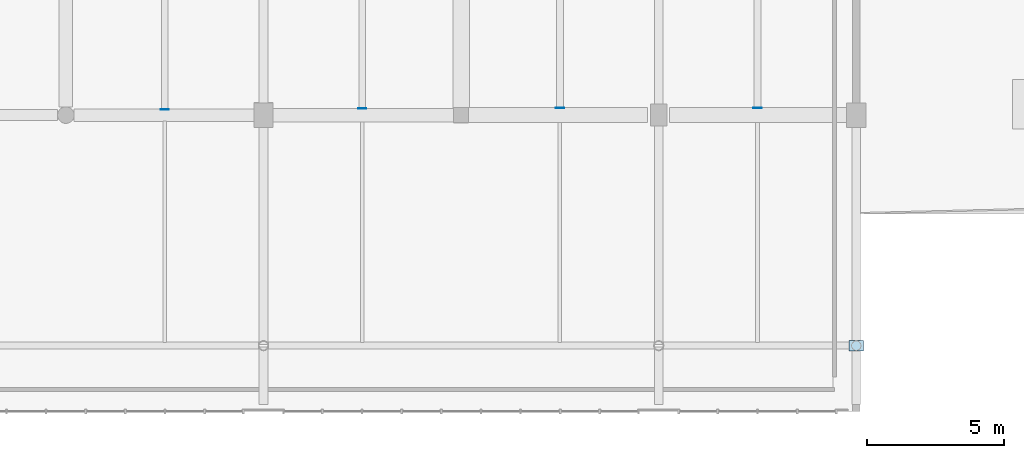
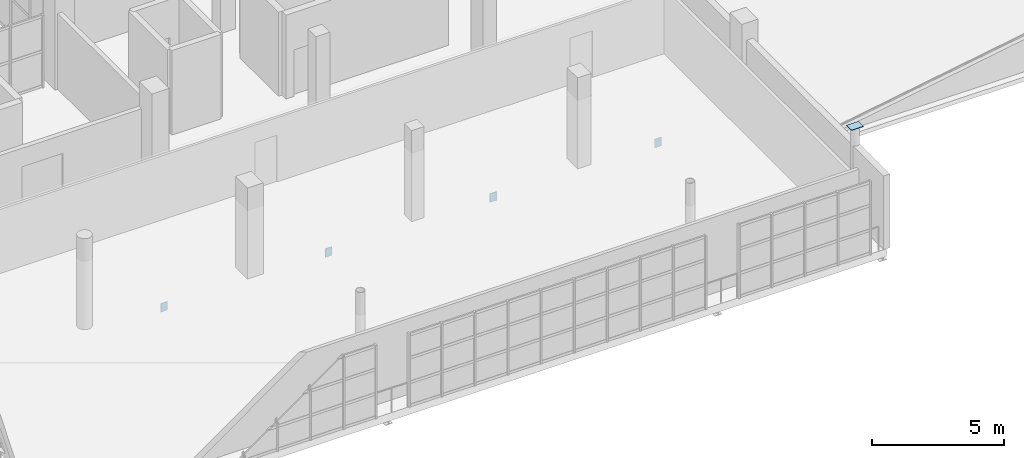
# One storey, part 63 of 90: 5 plates.
"""IFC4 building model written with IfcOpenShell, lengths in metres."""

from ifc_helpers import new_model, si_unit, direction, frame, origin, origin_2d, place, context, subcontext, project, spatial, rectangle, extrude, material, layer, layer_set, type_object, element, save


model = new_model("IFC4")

# Units and contexts
model_context = context("Model", 3, precision=1e-05, world=origin(), true_north=direction((0.0, 1.0)))
body_context = subcontext(model_context, "Body", "Model", "MODEL_VIEW")
ifc_project = project(units=[si_unit("LENGTHUNIT", "METRE"), si_unit("AREAUNIT", "SQUARE_METRE"), si_unit("VOLUMEUNIT", "CUBIC_METRE"), si_unit("PLANEANGLEUNIT", "RADIAN"), si_unit("MASSUNIT", "GRAM", prefix="KILO")], contexts=[model_context])

# Site, building, storey
site_placement = place(None, origin())
site = spatial("IfcSite", under=ifc_project, at=site_placement, CompositionType="ELEMENT")
building_placement = place(site_placement, origin())
building = spatial("IfcBuilding", under=site, at=building_placement, Name="Solanera Park Tramway Depot", CompositionType="ELEMENT")
storey_placement = place(building_placement, frame((0.0, 0.0, 9.0)))
storey = spatial("IfcBuildingStorey", under=building, at=storey_placement, Name="L02", CompositionType="ELEMENT", Elevation=9.0)

# Plates
ifc_material_1 = material(Name="Steel AS/NZS 3679.1 Grade 350", Category="steel")
ifc_layer_1 = layer(ifc_material_1, 0.02001953125)
ifc_layer_set_1 = layer_set([ifc_layer_1], Name="Steel AS/NZS 3679.1 Grade 350")
plate_type_1 = type_object("IfcPlateType", Name="Hollow End Cap and Base Plate 400x300x20", PredefinedType="USERDEFINED", material=ifc_layer_set_1)
for number, where, z_axis, x_axis, name in (
    (1, (162.0, 11.010986328125, -0.739013671875), (0.0, 0.0, 1.0), (0.0, 1.0, 0.0), "Hollow Section Welded End Cap Plate #0040"),
    (2, (169.199951171875, 11.035888671875, -0.739013671875), (0.0, 0.0, 1.0), (0.0, 1.0, 0.0), "Hollow Section Welded End Cap Plate #0042"),
    (3, (176.39990234375, 11.06103515625, -0.739013671875), (0.0, 0.0, 1.0), (0.0, 1.0, 0.0), "Hollow Section Welded End Cap Plate #0044"),
    (4, (183.60009765625, 11.06103515625, -0.739013671875), (0.0, 0.0, 1.0), (0.0, 1.0, 0.0), "Hollow Section Welded End Cap Plate #0046"),
):
    element("IfcPlate", number, at=place(storey_placement, frame(where, z_axis=z_axis, x_axis=x_axis)), inside=storey, type_object=plate_type_1, Name=name, ObjectType="BASE PLATE", PredefinedType="USERDEFINED", context=body_context, shape_type="SweptSolid", body=[
        extrude(rectangle(XDim=0.02001953125, YDim=0.300048828125, at=origin_2d()), origin(), (0.0, 0.0, 1.0), 0.39990234375),
    ])
ifc_material_2 = material(Name="Steel AS/NZS 3679.1 Grade 350", Category="steel")
ifc_layer_2 = layer(ifc_material_2, 0.02490234375)
ifc_layer_set_2 = layer_set([ifc_layer_2], Name="Steel AS/NZS 3679.1 Grade 350")
plate_type_2 = type_object("IfcPlateType", Name="Hollow End Cap and Base Plate 520x380x25", PredefinedType="USERDEFINED", material=ifc_layer_set_2)
plate_placement = place(storey_placement, frame((187.199951171875, 2.39990234375, 4.196044921875), z_axis=(0.0, 0.0, 1.0), x_axis=(1.0, 0.0, 0.0)))
element("IfcPlate", 5, at=plate_placement, inside=storey, type_object=plate_type_2, Name="Hollow Column Sealed Cap Plate #0025", ObjectType="BASE PLATE", PredefinedType="USERDEFINED", context=body_context, shape_type="SweptSolid", body=[
    extrude(rectangle(XDim=0.52001953125, YDim=0.3798828125, at=origin_2d()), origin(), (0.0, 0.0, 1.0), 0.02490234375),
])

save(model, "model.ifc")
